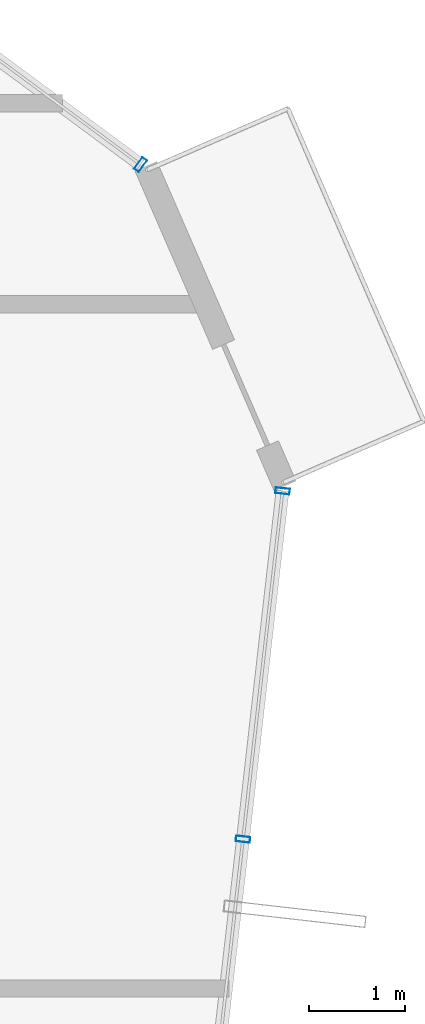
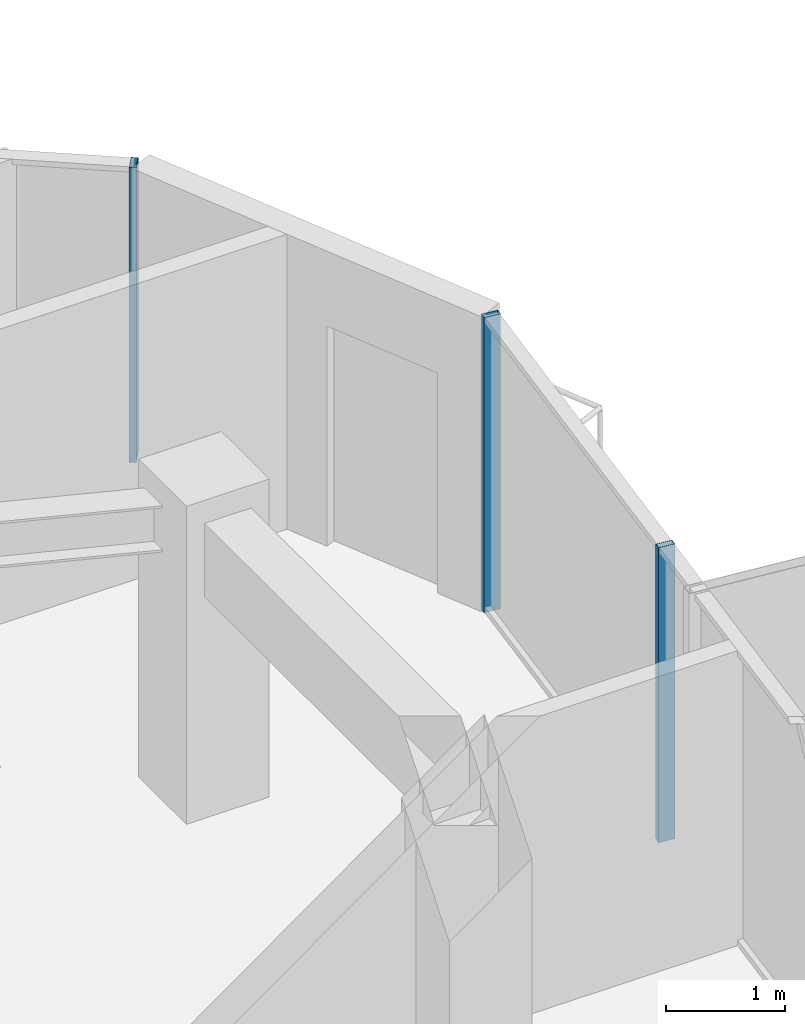
# One storey, part 21 of 30: 3 members, 2 elements without a shape of their own.
"""IFC4 building model written with IfcOpenShell, lengths in metres."""

from ifc_helpers import new_model, si_unit, direction, frame, origin, origin_2d, place, context, subcontext, project, spatial, hollow_rectangle, extrude, source, transform, mapped, material, layer, layer_set, material_profile, profile_set, type_object, element, aggregate, save


model = new_model("IFC4")

# Units and contexts
model_context = context("Model", 3, precision=1e-05, world=origin(), true_north=direction((0.0, 1.0)))
body_context = subcontext(model_context, "Body", "Model", "MODEL_VIEW")
ifc_project = project(units=[si_unit("LENGTHUNIT", "METRE"), si_unit("AREAUNIT", "SQUARE_METRE"), si_unit("VOLUMEUNIT", "CUBIC_METRE"), si_unit("PLANEANGLEUNIT", "RADIAN"), si_unit("MASSUNIT", "GRAM", prefix="KILO")], contexts=[model_context])

# Site, building, storey
site_placement = place(None, origin())
site = spatial("IfcSite", under=ifc_project, at=site_placement, CompositionType="ELEMENT")
building_placement = place(site_placement, origin())
building = spatial("IfcBuilding", under=site, at=building_placement, Name="Veraguas Prism Commons", CompositionType="ELEMENT")
storey_placement = place(building_placement, frame((0.0, 0.0, 230.050048828125)))
storey = spatial("IfcBuildingStorey", under=building, at=storey_placement, Name="L65", CompositionType="ELEMENT", Elevation=230.050048828125)

# Curtain wall, member
ifc_material = material(Name="Anodised aluminium EN AW-6063 T6", Category="aluminium")
ifc_layer = layer(ifc_material, 0.14990234375, Name="Unitised Flush Curtain Wall Zone 4", Category="aluminium")
ifc_layer_set = layer_set([ifc_layer], Name="Anodised aluminium EN AW-6063 T6")
curtain_wall_type = type_object("IfcCurtainWallType", Name="Unitised Flush Curtain Wall Zone 4", PredefinedType="NOTDEFINED", material=ifc_layer_set)
curtain_wall_1_placement = place(storey_placement, origin())
curtain_wall_1 = element("IfcCurtainWall", 1, at=curtain_wall_1_placement, inside=storey, type_object=curtain_wall_type, Name="Tower Facade Curtain Wall L65-F1", PredefinedType="NOTDEFINED")
ifc_material_profile = material_profile(ifc_material, hollow_rectangle(XDim=0.06005859375, YDim=0.14990234375, WallThickness=0.0029296875, at=origin_2d()), Name="AL60X150X3")
ifc_profile_set = profile_set([ifc_material_profile], Name="Anodised aluminium EN AW-6063 T6")
member_type = type_object("IfcMemberType", Name="Curtain Wall Mullion Upper AL 60x150x3", PredefinedType="MULLION", material=ifc_profile_set)
shared_shape = source(origin(), body_context, "Body", "SweptSolid", [
    extrude(hollow_rectangle(XDim=0.06005859375, YDim=0.14990234375, WallThickness=0.0029296875, at=origin_2d()), origin(), (0.0, 0.0, 1.0), 3.014892578125),
])
member_1_placement = place(storey_placement, frame((39.6953125, 32.858642578125, 0.0), z_axis=(0.0, 0.0, 1.0), x_axis=(-0.804067556966, 0.59453794146, 0.0)))
member_1 = element("IfcMember", 2, at=member_1_placement, type_object=member_type, Name="CW-Z4 Mullion 1", PredefinedType="MULLION", context=body_context, shape_type="MappedRepresentation", body=[
    mapped(shared_shape, transform((0.0, 0.0, 0.0), scale=1.0)),
])
aggregate(curtain_wall_1, [member_1])

# Curtain wall, members
curtain_wall_2_placement = place(storey_placement, origin())
curtain_wall_2 = element("IfcCurtainWall", 3, at=curtain_wall_2_placement, inside=storey, type_object=curtain_wall_type, Name="Tower Facade Curtain Wall L65-F6", PredefinedType="NOTDEFINED")
member_2_placement = place(storey_placement, frame((40.765869140625, 25.81103515625, 0.0), z_axis=(0.0, 0.0, 1.0), x_axis=(0.112858119052, 0.993611113547, 0.0)))
member_2 = element("IfcMember", 4, at=member_2_placement, type_object=member_type, Name="CW-Z4 Mullion 4", PredefinedType="MULLION", context=body_context, shape_type="MappedRepresentation", body=[
    mapped(shared_shape, transform((0.0, 0.0, 0.0), scale=1.0)),
])
member_3_placement = place(storey_placement, frame((41.17919921875, 29.44921875, 0.0), z_axis=(0.0, 0.0, 1.0), x_axis=(0.112858119052, 0.993611113547, 0.0)))
member_3 = element("IfcMember", 5, at=member_3_placement, type_object=member_type, Name="CW-Z4 Mullion 5", PredefinedType="MULLION", context=body_context, shape_type="MappedRepresentation", body=[
    mapped(shared_shape, transform((0.0, 0.0, 0.0), scale=1.0)),
])
aggregate(curtain_wall_2, [member_2, member_3])

save(model, "model.ifc")
